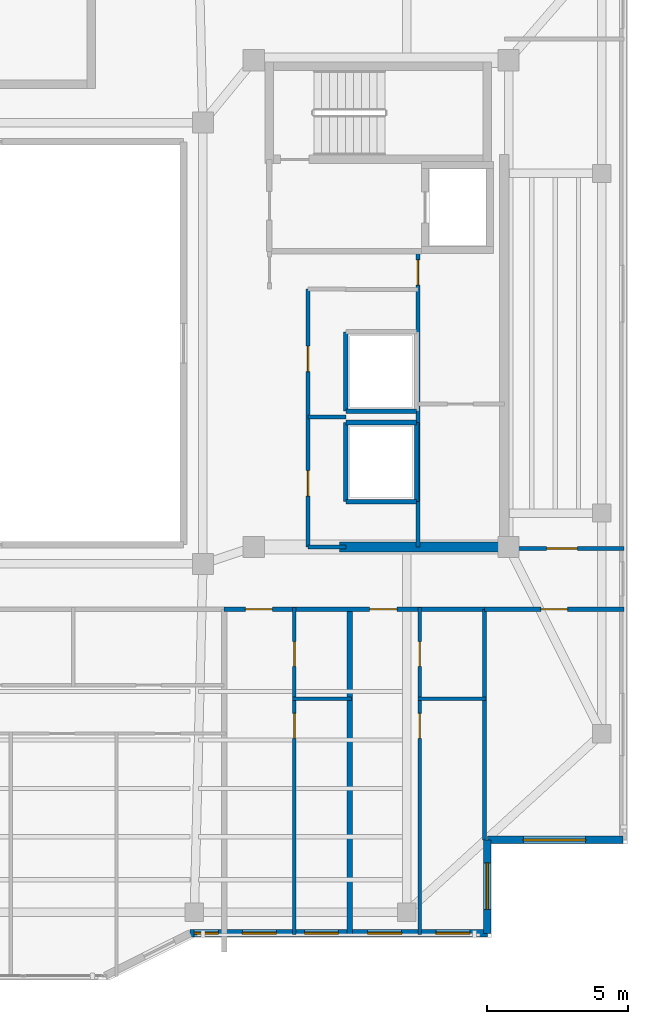
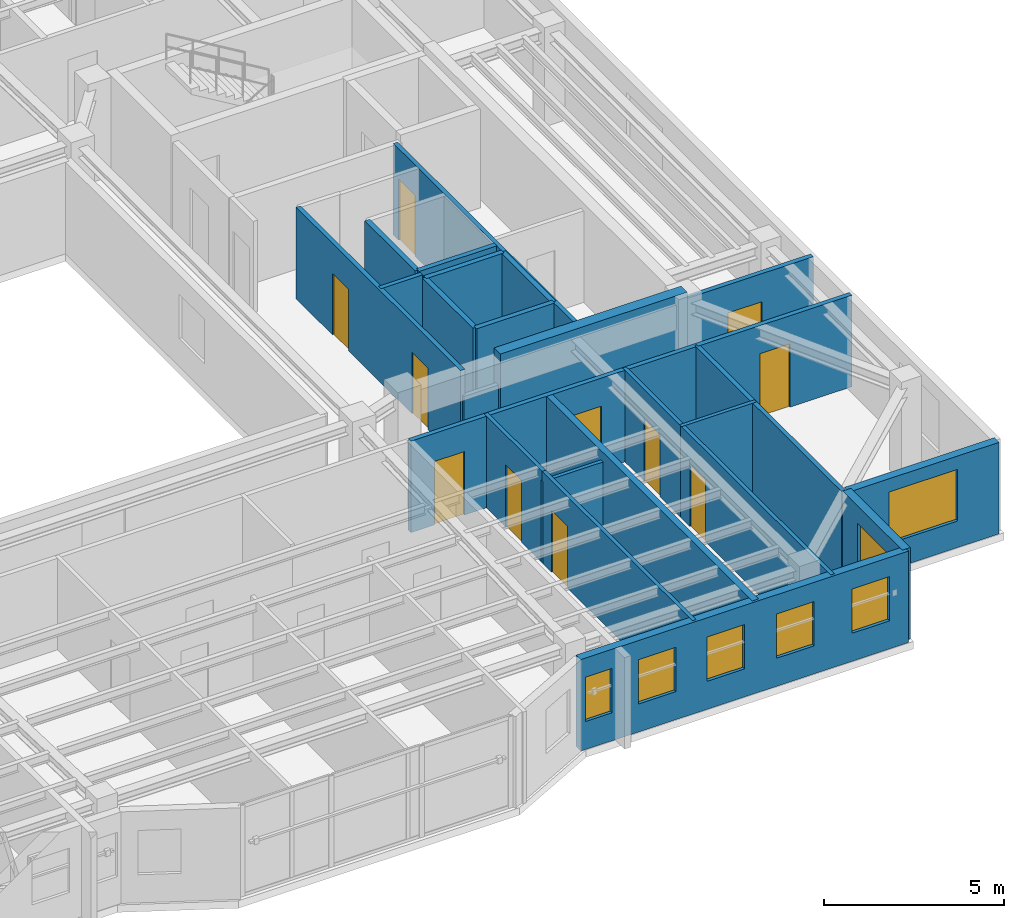
# One storey, part 8 of 14: 25 walls, 11 doors, 7 windows, 18 openings.
"""IFC4 building model written with IfcOpenShell, lengths in metres."""

import ifcopenshell
import ifcopenshell.guid

model = None  # the IFC model being written
_history = None  # IfcOwnerHistory: only IFC2X3 demands one
_inside = {}  # id of a spatial element -> (the spatial element, [elements in it])
_under = {}  # id of a project, library or spatial element -> (it, [spatial elements below it])
_declared = {}  # id of a project -> (the project, [libraries it declares])
_typed = {}  # id of a type object -> (the type object, [elements of that type])
_made_of = {}  # id of a material, layer set ... -> (it, [elements and type objects made of it])


def new_model(schema):
    """Start an empty IFC model of exactly this schema.

    Asked for "IFC4X3", IfcOpenShell would pick the latest addendum, in which some entities
    have other attributes; the version numbers below select the first issue.
    IFC2X3 requires an IfcOwnerHistory on every rooted entity: one is made here for all.
    """
    global model, _history
    if schema == "IFC4X3":
        model = ifcopenshell.file(schema_version=(4, 3, 0, 0))
    else:
        model = ifcopenshell.file(schema=schema)
    _inside.clear()
    _under.clear()
    _declared.clear()
    _typed.clear()
    _made_of.clear()
    _history = None
    if model.schema == "IFC2X3":
        org = make("IfcOrganization", Name="unknown")
        user = make(
            "IfcPersonAndOrganization",
            ThePerson=make("IfcPerson", FamilyName="unknown"),
            TheOrganization=org,
        )
        app = make(
            "IfcApplication",
            ApplicationDeveloper=org,
            Version="unknown",
            ApplicationFullName="unknown",
            ApplicationIdentifier="unknown",
        )
        _history = make(
            "IfcOwnerHistory",
            OwningUser=user,
            OwningApplication=app,
            ChangeAction="ADDED",
            CreationDate=0,
        )
    return model


def make(cls, **values):
    """One entity of the class cls with the attributes given. An attribute that is None is left unset."""
    return model.create_entity(
        cls, **{name: value for name, value in values.items() if value is not None}
    )


def rooted(cls, **values):
    """An entity with a GlobalId (a new one), such as an element, a storey or a relation."""
    return make(cls, GlobalId=ifcopenshell.guid.new(), OwnerHistory=_history, **values)


def si_unit(unit_type, name, prefix=None):
    """IfcSIUnit, for example si_unit("LENGTHUNIT", "METRE", prefix="MILLI")."""
    return make("IfcSIUnit", UnitType=unit_type, Prefix=prefix, Name=name)


def assignment(units):
    """IfcUnitAssignment: the units of a project."""
    return None if units is None else make("IfcUnitAssignment", Units=units)


def point(xyz):
    """IfcCartesianPoint."""
    return None if xyz is None else make("IfcCartesianPoint", Coordinates=xyz)


def direction(xyz):
    """IfcDirection."""
    return None if xyz is None else make("IfcDirection", DirectionRatios=xyz)


def frame(location, z_axis=None, x_axis=None):
    """IfcAxis2Placement3D, a coordinate frame: its origin and axes. An axis left out is left unset."""
    return make(
        "IfcAxis2Placement3D",
        Location=point(location),
        Axis=direction(z_axis),
        RefDirection=direction(x_axis),
    )


def frame_2d(location, x_axis=None):
    """IfcAxis2Placement2D, a coordinate frame in the plane: its origin and x axis."""
    return make(
        "IfcAxis2Placement2D", Location=point(location), RefDirection=direction(x_axis)
    )


def origin():
    """The frame at (0, 0, 0) with its axes left unset."""
    return frame((0.0, 0.0, 0.0))


def place(relative_to, where):
    """IfcLocalPlacement: puts the frame where relative to a parent placement (None: the world)."""
    return make(
        "IfcLocalPlacement", PlacementRelTo=relative_to, RelativePlacement=where
    )


def context(
    kind, dimensions, precision=None, world=None, true_north=None, identifier=None
):
    """IfcGeometricRepresentationContext, for example the 3D "Model" context."""
    return make(
        "IfcGeometricRepresentationContext",
        ContextIdentifier=identifier,
        ContextType=kind,
        CoordinateSpaceDimension=dimensions,
        Precision=precision,
        WorldCoordinateSystem=world,
        TrueNorth=true_north,
    )


def subcontext(parent, identifier, kind, view, scale=None):
    """IfcGeometricRepresentationSubContext, for example "Body" below "Model"."""
    return make(
        "IfcGeometricRepresentationSubContext",
        ContextIdentifier=identifier,
        ContextType=kind,
        ParentContext=parent,
        TargetScale=scale,
        TargetView=view,
    )


def project(units=None, contexts=None):
    """IfcProject with its units and contexts."""
    return rooted(
        "IfcProject",
        Name="project",
        RepresentationContexts=contexts,
        UnitsInContext=assignment(units),
    )


def spatial(cls, under=None, at=None, **own):
    """A site, building, storey or space (cls), placed at a placement, below another one or the project."""
    s = rooted(cls, ObjectPlacement=at, **own)
    if under is not None:
        _under.setdefault(under.id(), (under, []))[1].append(s)
    return s


def profile(cls, at=None, kind="AREA", **sizes):
    """A parametric profile (cls). Its sizes go by their IFC names, for example OverallWidth=200.0."""
    return make(cls, ProfileType=kind, Position=at, **sizes)


def rectangle(**sizes):
    """IfcRectangleProfileDef."""
    return profile("IfcRectangleProfileDef", **sizes)


def extrude(swept, where, along, depth):
    """IfcExtrudedAreaSolid: the profile swept, set in the frame where, extruded along a direction by depth."""
    return make(
        "IfcExtrudedAreaSolid",
        SweptArea=swept,
        Position=where,
        ExtrudedDirection=direction(along),
        Depth=depth,
    )


def shape(context_of_items, identifier, shape_type, items):
    """IfcShapeRepresentation: the items that make up one representation, for example the "Body"."""
    return make(
        "IfcShapeRepresentation",
        ContextOfItems=context_of_items,
        RepresentationIdentifier=identifier,
        RepresentationType=shape_type,
        Items=items,
    )


def material(Name=None, Category=None):
    """IfcMaterial."""
    return make("IfcMaterial", Name=Name, Category=Category)


def layer(
    of_material, thickness, ventilated=None, Name=None, Category=None, Priority=None
):
    """IfcMaterialLayer: one layer of a wall or slab, of a material (None: an air gap)."""
    return make(
        "IfcMaterialLayer",
        Material=of_material,
        LayerThickness=thickness,
        IsVentilated=ventilated,
        Name=Name,
        Category=Category,
        Priority=Priority,
    )


def layer_set(layers, Name=None):
    """IfcMaterialLayerSet."""
    return make("IfcMaterialLayerSet", MaterialLayers=layers, LayerSetName=Name)


def made_of(thing, what):
    """Note that an element or type object is made of a material, layer set ...; save() writes the relation."""
    if what is not None:
        _made_of.setdefault(what.id(), (what, []))[1].append(thing)
    return thing


def type_object(cls, material=None, **own):
    """A type object (cls), such as IfcWallType, which elements share."""
    return made_of(rooted(cls, **own), material)


def element(
    cls,
    number,
    at=None,
    inside=None,
    cuts=None,
    type_object=None,
    material=None,
    context=None,
    identifier="Body",
    shape_type=None,
    held_by="IfcProductDefinitionShape",
    body=None,
    shapes=None,
    **own,
):
    """One element of the class cls, such as IfcWall. Its Tag is "e" and its number.

    at: its placement. inside: the storey or other place that contains it. cuts: it is an
    opening in that element (IfcRelVoidsElement). A single representation is given by context,
    identifier, shape_type and body (its items); several are given by shapes. held_by: the class
    of the entity that holds the representations. save() writes the other relations.
    """
    e = rooted(cls, Tag="e%d" % number, ObjectPlacement=at, **own)
    if body is not None:
        shapes = [shape(context, identifier, shape_type, body)]
    if shapes is not None:
        e.Representation = make(held_by, Representations=shapes)
    if inside is not None:
        _inside.setdefault(inside.id(), (inside, []))[1].append(e)
    if cuts is not None:
        rooted(
            "IfcRelVoidsElement", RelatingBuildingElement=cuts, RelatedOpeningElement=e
        )
    if type_object is not None:
        _typed.setdefault(type_object.id(), (type_object, []))[1].append(e)
    return made_of(e, material)


def fill(opening, filler):
    """IfcRelFillsElement: the door or window that sits in an opening."""
    return rooted(
        "IfcRelFillsElement",
        RelatingOpeningElement=opening,
        RelatedBuildingElement=filler,
    )


def aggregate(whole, parts):
    """IfcRelAggregates: a whole, such as a stair, and the parts it consists of."""
    return rooted("IfcRelAggregates", RelatingObject=whole, RelatedObjects=parts)


def save(model, path):
    """Write the relations noted so far, then the file.

    IfcRelAggregates (storeys below a building ...), IfcRelContainedInSpatialStructure (elements
    in a storey), IfcRelDefinesByType, IfcRelAssociatesMaterial and IfcRelDeclares: one each for
    every whole, place, type object, material and project.
    """
    for whole, parts in _under.values():
        aggregate(whole, parts)
    for where, things in _inside.values():
        rooted(
            "IfcRelContainedInSpatialStructure",
            RelatedElements=things,
            RelatingStructure=where,
        )
    for kind, things in _typed.values():
        rooted("IfcRelDefinesByType", RelatedObjects=things, RelatingType=kind)
    for what, things in _made_of.values():
        rooted("IfcRelAssociatesMaterial", RelatedObjects=things, RelatingMaterial=what)
    for by, libraries in _declared.values():
        rooted("IfcRelDeclares", RelatingContext=by, RelatedDefinitions=libraries)
    model.write(path)


model = new_model("IFC4")

# Units and contexts
model_context = context("Model", 3, precision=1e-05, world=origin(), true_north=direction((0.0, 1.0)))
body_context = subcontext(model_context, "Body", "Model", "MODEL_VIEW")
ifc_project = project(units=[si_unit("LENGTHUNIT", "METRE"), si_unit("AREAUNIT", "SQUARE_METRE"), si_unit("VOLUMEUNIT", "CUBIC_METRE"), si_unit("PLANEANGLEUNIT", "RADIAN"), si_unit("MASSUNIT", "GRAM", prefix="KILO")], contexts=[model_context])

# Site, building, storey
site_placement = place(None, origin())
site = spatial("IfcSite", under=ifc_project, at=site_placement, CompositionType="ELEMENT")
building_placement = place(site_placement, origin())
building = spatial("IfcBuilding", under=site, at=building_placement, Name="Tarnavaz Court Tower", CompositionType="ELEMENT")
storey_placement = place(building_placement, frame((0.0, 0.0, 261.60009765625)))
storey = spatial("IfcBuildingStorey", under=building, at=storey_placement, Name="L71", CompositionType="ELEMENT", Elevation=261.60009765625)

# Wall
ifc_material_1 = material(Name="Concrete C50/60", Category="concrete")
ifc_layer_1 = layer(ifc_material_1, 0.35009765625)
ifc_layer_set_1 = layer_set([ifc_layer_1], Name="Concrete C50/60")
wall_type_1 = type_object("IfcWallType", Name="WL-CORE-350-C50", PredefinedType="SHEAR", material=ifc_layer_set_1)
wall_1_placement = place(storey_placement, frame((12.625, -7.199951171875, 0.0), z_axis=(0.0, 0.0, 1.0), x_axis=(1.0, 0.0, 0.0)))
element("IfcWall", 1, at=wall_1_placement, inside=storey, type_object=wall_type_1, Name="L71 East Core South Shear Wall 048", PredefinedType="SHEAR", context=body_context, shape_type="SweptSolid", body=[
    extrude(rectangle(XDim=6.0, YDim=0.35009765625, at=frame_2d((3.0, 0.0))), origin(), (0.0, 0.0, 1.0), 3.349853515625),
])

# Wall, opening, window
ifc_material_2 = material(Name="Precast Concrete C40/50", Category="concrete")
ifc_layer_2 = layer(ifc_material_2, 0.260009765625)
ifc_layer_set_2 = layer_set([ifc_layer_2], Name="Precast Concrete C40/50")
wall_type_2 = type_object("IfcWallType", Name="WL-EXT-260", PredefinedType="SOLIDWALL", material=ifc_layer_set_2)
wall_2_placement = place(storey_placement, frame((22.64990234375, -17.550048828125, 0.0), z_axis=(0.0, 0.0, 1.0), x_axis=(-1.0, 0.0, 0.0)))
wall_2 = element("IfcWall", 2, at=wall_2_placement, inside=storey, type_object=wall_type_2, Name="L71 Exterior Terracotta Facade Wall 13", PredefinedType="SOLIDWALL", context=body_context, shape_type="SweptSolid", body=[
    extrude(rectangle(XDim=4.7998046875, YDim=0.260009765625, at=frame_2d((2.39990234375, 0.0))), origin(), (0.0, 0.0, 1.0), 3.099853515625),
])
opening_1_placement = place(wall_2_placement, frame((1.3251953125, 0.0, 0.89990234375)))
opening_1 = element("IfcOpeningElement", 3, at=opening_1_placement, cuts=wall_2, Name="Opening W07", PredefinedType="OPENING", context=body_context, shape_type="SweptSolid", body=[
    extrude(rectangle(XDim=2.199951171875, YDim=1.75, at=frame_2d((1.10009765625, 0.875))), frame((0.0, 0.139892578125, 0.0), z_axis=(0.0, -1.0, 0.0), x_axis=(1.0, 0.0, 0.0)), (0.0, 0.0, 1.0), 0.280029296875),
])
ifc_material_3 = material(Name="Double-Glazed Solar Low-E Glass", Category="glass")
window_type_1 = type_object("IfcWindowType", Name="WN-APT-2200", PartitioningType="TRIPLE_PANEL_VERTICAL", PredefinedType="WINDOW", material=ifc_material_3)
window_1_placement = place(opening_1_placement, origin())
window_1 = element("IfcWindow", 4, at=window_1_placement, inside=storey, type_object=window_type_1, Name="L71 South-East Corner Reading Room Window", OverallHeight=1.75, OverallWidth=2.199951171875, PartitioningType="SINGLE_PANEL", PredefinedType="WINDOW", context=body_context, shape_type="SweptSolid", body=[
    extrude(rectangle(XDim=2.199951171875, YDim=1.75, at=frame_2d((1.10009765625, 0.875))), frame((0.0, 0.030029296875, 0.0), z_axis=(0.0, -1.0, 0.0), x_axis=(1.0, 0.0, 0.0)), (0.0, 0.0, 1.0), 0.06005859375),
])
fill(opening_1, window_1)

wall_3_placement = place(storey_placement, frame((17.85009765625, -17.550048828125, 0.0), z_axis=(0.0, 0.0, 1.0), x_axis=(0.0, -1.0, 0.0)))
wall_3 = element("IfcWall", 5, at=wall_3_placement, inside=storey, type_object=wall_type_2, Name="L71 Exterior Terracotta Facade Wall 14", PredefinedType="SOLIDWALL", context=body_context, shape_type="SweptSolid", body=[
    extrude(rectangle(XDim=3.300048828125, YDim=0.260009765625, at=frame_2d((1.64990234375, 0.0))), origin(), (0.0, 0.0, 1.0), 3.099853515625),
])
opening_2_placement = place(wall_3_placement, frame((0.8076171875, 0.0, 0.89990234375)))
opening_2 = element("IfcOpeningElement", 6, at=opening_2_placement, cuts=wall_3, Name="Opening W02", PredefinedType="OPENING", context=body_context, shape_type="SweptSolid", body=[
    extrude(rectangle(XDim=1.64990234375, YDim=1.60009765625, at=frame_2d((0.824951171875, 0.800048828125))), frame((0.0, 0.139892578125, 0.0), z_axis=(0.0, -1.0, 0.0), x_axis=(1.0, 0.0, 0.0)), (0.0, 0.0, 1.0), 0.280029296875),
])
window_type_2 = type_object("IfcWindowType", Name="WN-APT-1650", PartitioningType="DOUBLE_PANEL_VERTICAL", PredefinedType="WINDOW", material=ifc_material_3)
window_2_placement = place(opening_2_placement, origin())
window_2 = element("IfcWindow", 7, at=window_2_placement, inside=storey, type_object=window_type_2, Name="L71 Flat 09 Kitchen Window", OverallHeight=1.60009765625, OverallWidth=1.64990234375, PartitioningType="SINGLE_PANEL", PredefinedType="WINDOW", context=body_context, shape_type="SweptSolid", body=[
    extrude(rectangle(XDim=1.64990234375, YDim=1.60009765625, at=frame_2d((0.824951171875, 0.800048828125))), frame((0.0, 0.030029296875, 0.0), z_axis=(0.0, -1.0, 0.0), x_axis=(1.0, 0.0, 0.0)), (0.0, 0.0, 1.0), 0.06005859375),
])
fill(opening_2, window_2)

# Wall, openings, windows
wall_4_placement = place(storey_placement, frame((17.85009765625, -20.85009765625, 0.0), z_axis=(0.0, 0.0, 1.0), x_axis=(-1.0, 0.0, 0.0)))
wall_4 = element("IfcWall", 8, at=wall_4_placement, inside=storey, type_object=wall_type_2, Name="L71 Exterior Terracotta Facade Wall 15", PredefinedType="SOLIDWALL", context=body_context, shape_type="SweptSolid", body=[
    extrude(rectangle(XDim=10.5, YDim=0.260009765625, at=frame_2d((5.25, 0.0))), origin(), (0.0, 0.0, 1.0), 3.099853515625),
])
opening_3_placement = place(wall_4_placement, frame((0.613037109375, 0.0, 0.949951171875)))
opening_3 = element("IfcOpeningElement", 9, at=opening_3_placement, cuts=wall_4, Name="Opening W05", PredefinedType="OPENING", context=body_context, shape_type="SweptSolid", body=[
    extrude(rectangle(XDim=1.199951171875, YDim=1.5, at=frame_2d((0.60009765625, 0.75))), frame((0.0, 0.139892578125, 0.0), z_axis=(0.0, -1.0, 0.0), x_axis=(1.0, 0.0, 0.0)), (0.0, 0.0, 1.0), 0.280029296875),
])
opening_4_placement = place(wall_4_placement, frame((3.02490234375, 0.0, 0.949951171875)))
opening_4 = element("IfcOpeningElement", 10, at=opening_4_placement, cuts=wall_4, Name="Opening W05", PredefinedType="OPENING", context=body_context, shape_type="SweptSolid", body=[
    extrude(rectangle(XDim=1.199951171875, YDim=1.5, at=frame_2d((0.60009765625, 0.75))), frame((0.0, 0.139892578125, 0.0), z_axis=(0.0, -1.0, 0.0), x_axis=(1.0, 0.0, 0.0)), (0.0, 0.0, 1.0), 0.280029296875),
])
opening_5_placement = place(wall_4_placement, frame((5.258056640625, 0.0, 0.949951171875)))
opening_5 = element("IfcOpeningElement", 11, at=opening_5_placement, cuts=wall_4, Name="Opening W05", PredefinedType="OPENING", context=body_context, shape_type="SweptSolid", body=[
    extrude(rectangle(XDim=1.199951171875, YDim=1.5, at=frame_2d((0.60009765625, 0.75))), frame((0.0, 0.139892578125, 0.0), z_axis=(0.0, -1.0, 0.0), x_axis=(1.0, 0.0, 0.0)), (0.0, 0.0, 1.0), 0.280029296875),
])
opening_6_placement = place(wall_4_placement, frame((7.449951171875, 0.0, 0.949951171875)))
opening_6 = element("IfcOpeningElement", 12, at=opening_6_placement, cuts=wall_4, Name="Opening W05", PredefinedType="OPENING", context=body_context, shape_type="SweptSolid", body=[
    extrude(rectangle(XDim=1.199951171875, YDim=1.5, at=frame_2d((0.60009765625, 0.75))), frame((0.0, 0.139892578125, 0.0), z_axis=(0.0, -1.0, 0.0), x_axis=(1.0, 0.0, 0.0)), (0.0, 0.0, 1.0), 0.280029296875),
])
opening_7_placement = place(wall_4_placement, frame((9.5048828125, 0.0, 0.949951171875)))
opening_7 = element("IfcOpeningElement", 13, at=opening_7_placement, cuts=wall_4, Name="Opening W15", PredefinedType="OPENING", context=body_context, shape_type="SweptSolid", body=[
    extrude(rectangle(XDim=0.85009765625, YDim=1.5, at=frame_2d((0.425048828125, 0.75))), frame((0.0, 0.139892578125, 0.0), z_axis=(0.0, -1.0, 0.0), x_axis=(1.0, 0.0, 0.0)), (0.0, 0.0, 1.0), 0.280029296875),
])
window_type_3 = type_object("IfcWindowType", Name="WN-APT-1200", PartitioningType="SINGLE_PANEL", PredefinedType="WINDOW", material=ifc_material_3)
window_3_placement = place(opening_3_placement, origin())
window_3 = element("IfcWindow", 14, at=window_3_placement, inside=storey, type_object=window_type_3, Name="L71 Flat 09 Kitchen Window", OverallHeight=1.5, OverallWidth=1.199951171875, PartitioningType="SINGLE_PANEL", PredefinedType="WINDOW", context=body_context, shape_type="SweptSolid", body=[
    extrude(rectangle(XDim=1.199951171875, YDim=1.5, at=frame_2d((0.60009765625, 0.75))), frame((0.0, 0.030029296875, 0.0), z_axis=(0.0, -1.0, 0.0), x_axis=(1.0, 0.0, 0.0)), (0.0, 0.0, 1.0), 0.06005859375),
])
fill(opening_3, window_3)
window_4_placement = place(opening_4_placement, origin())
window_4 = element("IfcWindow", 15, at=window_4_placement, inside=storey, type_object=window_type_3, Name="L71 Flat 09 Studio Living and Sleeping Room Window", OverallHeight=1.5, OverallWidth=1.199951171875, PartitioningType="SINGLE_PANEL", PredefinedType="WINDOW", context=body_context, shape_type="SweptSolid", body=[
    extrude(rectangle(XDim=1.199951171875, YDim=1.5, at=frame_2d((0.60009765625, 0.75))), frame((0.0, 0.030029296875, 0.0), z_axis=(0.0, -1.0, 0.0), x_axis=(1.0, 0.0, 0.0)), (0.0, 0.0, 1.0), 0.06005859375),
])
fill(opening_4, window_4)
window_5_placement = place(opening_5_placement, origin())
window_5 = element("IfcWindow", 16, at=window_5_placement, inside=storey, type_object=window_type_3, Name="L71 Flat 08 Kitchen Window", OverallHeight=1.5, OverallWidth=1.199951171875, PartitioningType="SINGLE_PANEL", PredefinedType="WINDOW", context=body_context, shape_type="SweptSolid", body=[
    extrude(rectangle(XDim=1.199951171875, YDim=1.5, at=frame_2d((0.60009765625, 0.75))), frame((0.0, 0.030029296875, 0.0), z_axis=(0.0, -1.0, 0.0), x_axis=(1.0, 0.0, 0.0)), (0.0, 0.0, 1.0), 0.06005859375),
])
fill(opening_5, window_5)
window_6_placement = place(opening_6_placement, origin())
window_6 = element("IfcWindow", 17, at=window_6_placement, inside=storey, type_object=window_type_3, Name="L71 Flat 08 Studio Living and Sleeping Room Window", OverallHeight=1.5, OverallWidth=1.199951171875, PartitioningType="SINGLE_PANEL", PredefinedType="WINDOW", context=body_context, shape_type="SweptSolid", body=[
    extrude(rectangle(XDim=1.199951171875, YDim=1.5, at=frame_2d((0.60009765625, 0.75))), frame((0.0, 0.030029296875, 0.0), z_axis=(0.0, -1.0, 0.0), x_axis=(1.0, 0.0, 0.0)), (0.0, 0.0, 1.0), 0.06005859375),
])
fill(opening_6, window_6)
window_type_4 = type_object("IfcWindowType", Name="WN-APT-850", PartitioningType="SINGLE_PANEL", PredefinedType="WINDOW", material=ifc_material_3)
window_7_placement = place(opening_7_placement, origin())
window_7 = element("IfcWindow", 18, at=window_7_placement, inside=storey, type_object=window_type_4, Name="L71 Flat 10 Bedroom 3 Window", OverallHeight=1.5, OverallWidth=0.85009765625, PartitioningType="SINGLE_PANEL", PredefinedType="WINDOW", context=body_context, shape_type="SweptSolid", body=[
    extrude(rectangle(XDim=0.85009765625, YDim=1.5, at=frame_2d((0.425048828125, 0.75))), frame((0.0, 0.030029296875, 0.0), z_axis=(0.0, -1.0, 0.0), x_axis=(1.0, 0.0, 0.0)), (0.0, 0.0, 1.0), 0.06005859375),
])
fill(opening_7, window_7)

# Wall, openings, doors
ifc_material_4 = material(Name="Gypsum Fire-Board on Acoustic Metal Stud", Category="masonry")
ifc_layer_3 = layer(ifc_material_4, 0.14990234375)
ifc_layer_set_3 = layer_set([ifc_layer_3], Name="Gypsum Fire-Board on Acoustic Metal Stud")
wall_type_3 = type_object("IfcWallType", Name="WL-FIRE-150", PredefinedType="PARTITIONING", material=ifc_layer_set_3)
wall_5_placement = place(storey_placement, frame((8.550048828125, -9.39990234375, 0.0), z_axis=(0.0, 0.0, 1.0), x_axis=(1.0, 0.0, 0.0)))
wall_5 = element("IfcWall", 19, at=wall_5_placement, inside=storey, type_object=wall_type_3, Name="L71 SE Lobby Wall 063", PredefinedType="PARTITIONING", context=body_context, shape_type="SweptSolid", body=[
    extrude(rectangle(XDim=9.199951171875, YDim=0.14990234375, at=frame_2d((4.60009765625, 0.0))), origin(), (0.0, 0.0, 1.0), 3.099853515625),
])
opening_8_placement = place(wall_5_placement, frame((0.75, 0.0, 0.0)))
opening_8 = element("IfcOpeningElement", 20, at=opening_8_placement, cuts=wall_5, Name="Opening D06", PredefinedType="OPENING", context=body_context, shape_type="SweptSolid", body=[
    extrude(rectangle(XDim=0.9599609375, YDim=2.14990234375, at=frame_2d((0.47998046875, 1.074951171875))), frame((0.0, 0.0849609375, 0.0), z_axis=(0.0, -1.0, 0.0), x_axis=(1.0, 0.0, 0.0)), (0.0, 0.0, 1.0), 0.169921875),
])
opening_9_placement = place(wall_5_placement, frame((5.14208984375, 0.0, 0.0)))
opening_9 = element("IfcOpeningElement", 21, at=opening_9_placement, cuts=wall_5, Name="Opening D06", PredefinedType="OPENING", context=body_context, shape_type="SweptSolid", body=[
    extrude(rectangle(XDim=0.9599609375, YDim=2.14990234375, at=frame_2d((0.47998046875, 1.074951171875))), frame((0.0, 0.0849609375, 0.0), z_axis=(0.0, -1.0, 0.0), x_axis=(1.0, 0.0, 0.0)), (0.0, 0.0, 1.0), 0.169921875),
])
ifc_material_5 = material(Name="Fire-Rated Hardwood Timber Core", Category="wood")
door_type_1 = type_object("IfcDoorType", Name="DR-FD60-950", OperationType="NOTDEFINED", PredefinedType="DOOR", material=ifc_material_5)
door_1_placement = place(opening_8_placement, origin())
door_1 = element("IfcDoor", 22, at=door_1_placement, inside=storey, type_object=door_type_1, Name="L71 Flat 08 Entrance Door", OperationType="SINGLE_SWING_LEFT", OverallHeight=2.14990234375, OverallWidth=0.9599609375, PredefinedType="DOOR", context=body_context, shape_type="SweptSolid", body=[
    extrude(rectangle(XDim=0.9599609375, YDim=2.14990234375, at=frame_2d((0.47998046875, 1.074951171875))), frame((0.0, 0.02490234375, 0.0), z_axis=(0.0, -1.0, 0.0), x_axis=(1.0, 0.0, 0.0)), (0.0, 0.0, 1.0), 0.050048828125),
])
fill(opening_8, door_1)
door_2_placement = place(opening_9_placement, origin())
door_2 = element("IfcDoor", 23, at=door_2_placement, inside=storey, type_object=door_type_1, Name="L71 Flat 09 Entrance Door", OperationType="SINGLE_SWING_RIGHT", OverallHeight=2.14990234375, OverallWidth=0.9599609375, PredefinedType="DOOR", context=body_context, shape_type="SweptSolid", body=[
    extrude(rectangle(XDim=0.9599609375, YDim=2.14990234375, at=frame_2d((0.47998046875, 1.074951171875))), frame((0.0, 0.02490234375, 0.0), z_axis=(0.0, -1.0, 0.0), x_axis=(1.0, 0.0, 0.0)), (0.0, 0.0, 1.0), 0.050048828125),
])
fill(opening_9, door_2)

# Wall, opening, door
wall_6_placement = place(storey_placement, frame((18.449951171875, -7.25, 0.0), z_axis=(0.0, 0.0, 1.0), x_axis=(1.0, 0.0, 0.0)))
wall_6 = element("IfcWall", 24, at=wall_6_placement, inside=storey, type_object=wall_type_3, Name="L71 Interior Partition 115", PredefinedType="PARTITIONING", context=body_context, shape_type="SweptSolid", body=[
    extrude(rectangle(XDim=4.22998046875, YDim=0.14990234375, at=frame_2d((2.114990234375, 0.0))), origin(), (0.0, 0.0, 1.0), 3.099853515625),
])
opening_10_placement = place(wall_6_placement, frame((1.5, 0.0, 0.0)))
opening_10 = element("IfcOpeningElement", 25, at=opening_10_placement, cuts=wall_6, Name="Opening D12", PredefinedType="OPENING", context=body_context, shape_type="SweptSolid", body=[
    extrude(rectangle(XDim=1.080078125, YDim=2.14990234375, at=frame_2d((0.5400390625, 1.074951171875))), frame((0.0, 0.0849609375, 0.0), z_axis=(0.0, -1.0, 0.0), x_axis=(1.0, 0.0, 0.0)), (0.0, 0.0, 1.0), 0.169921875),
])
ifc_material_6 = material(Name="Engineered Oak Timber", Category="wood")
door_type_2 = type_object("IfcDoorType", Name="DR-INT-1100", OperationType="NOTDEFINED", PredefinedType="DOOR", material=ifc_material_6)
door_3_placement = place(opening_10_placement, origin())
door_3 = element("IfcDoor", 26, at=door_3_placement, inside=storey, type_object=door_type_2, Name="L71 East Fitness Lounge Door", OperationType="SINGLE_SWING_LEFT", OverallHeight=2.14990234375, OverallWidth=1.080078125, PredefinedType="DOOR", context=body_context, shape_type="SweptSolid", body=[
    extrude(rectangle(XDim=1.080078125, YDim=2.14990234375, at=frame_2d((0.5400390625, 1.074951171875))), frame((0.0, 0.02490234375, 0.0), z_axis=(0.0, -1.0, 0.0), x_axis=(1.0, 0.0, 0.0)), (0.0, 0.0, 1.0), 0.050048828125),
])
fill(opening_10, door_3)

wall_7_placement = place(storey_placement, frame((17.75, -9.39990234375, 0.0), z_axis=(0.0, 0.0, 1.0), x_axis=(1.0, 0.0, 0.0)))
wall_7 = element("IfcWall", 27, at=wall_7_placement, inside=storey, type_object=wall_type_3, Name="L71 Interior Partition 124", PredefinedType="PARTITIONING", context=body_context, shape_type="SweptSolid", body=[
    extrude(rectangle(XDim=4.929931640625, YDim=0.14990234375, at=frame_2d((2.46484375, 0.0))), origin(), (0.0, 0.0, 1.0), 3.099853515625),
])
opening_11_placement = place(wall_7_placement, frame((1.989990234375, 0.0, 0.0)))
opening_11 = element("IfcOpeningElement", 28, at=opening_11_placement, cuts=wall_7, Name="Opening D13", PredefinedType="OPENING", context=body_context, shape_type="SweptSolid", body=[
    extrude(rectangle(XDim=0.949951171875, YDim=2.14990234375, at=frame_2d((0.47509765625, 1.074951171875))), frame((0.0, 0.0849609375, 0.0), z_axis=(0.0, -1.0, 0.0), x_axis=(1.0, 0.0, 0.0)), (0.0, 0.0, 1.0), 0.169921875),
])
door_type_3 = type_object("IfcDoorType", Name="DR-INT-950", OperationType="NOTDEFINED", PredefinedType="DOOR", material=ifc_material_6)
door_4_placement = place(opening_11_placement, origin())
door_4 = element("IfcDoor", 29, at=door_4_placement, inside=storey, type_object=door_type_3, Name="L71 SE Reading Room Door", OperationType="SINGLE_SWING_LEFT", OverallHeight=2.14990234375, OverallWidth=0.949951171875, PredefinedType="DOOR", context=body_context, shape_type="SweptSolid", body=[
    extrude(rectangle(XDim=0.949951171875, YDim=2.14990234375, at=frame_2d((0.47509765625, 1.074951171875))), frame((0.0, 0.02490234375, 0.0), z_axis=(0.0, -1.0, 0.0), x_axis=(1.0, 0.0, 0.0)), (0.0, 0.0, 1.0), 0.050048828125),
])
fill(opening_11, door_4)

# Wall
ifc_material_7 = material(Name="Autoclaved Aerated Concrete Blockwork", Category="masonry")
ifc_layer_4 = layer(ifc_material_7, 0.199951171875)
ifc_layer_set_4 = layer_set([ifc_layer_4], Name="Autoclaved Aerated Concrete Blockwork")
wall_type_4 = type_object("IfcWallType", Name="WL-FIRE-200", PredefinedType="SOLIDWALL", material=ifc_layer_set_4)
wall_8_placement = place(storey_placement, frame((12.991943359375, -20.89990234375, 0.0), z_axis=(0.0, 0.0, 1.0), x_axis=(0.0, 1.0, 0.0)))
element("IfcWall", 30, at=wall_8_placement, inside=storey, type_object=wall_type_4, Name="L71 Party Wall 096", PredefinedType="SOLIDWALL", context=body_context, shape_type="SweptSolid", body=[
    extrude(rectangle(XDim=11.5, YDim=0.199951171875, at=frame_2d((5.75, 0.0))), origin(), (0.0, 0.0, 1.0), 3.099853515625),
])

# Wall, opening, door
ifc_material_8 = material(Name="Moisture-Resistant Gypsum Board Partition", Category="masonry")
ifc_layer_5 = layer(ifc_material_8, 0.1201171875)
ifc_layer_set_5 = layer_set([ifc_layer_5], Name="Moisture-Resistant Gypsum Board Partition")
wall_type_5 = type_object("IfcWallType", Name="WL-PART-120", PredefinedType="PARTITIONING", material=ifc_layer_set_5)
wall_9_placement = place(storey_placement, frame((11.031982421875, -20.89990234375, 0.0), z_axis=(0.0, 0.0, 1.0), x_axis=(0.0, 1.0, 0.0)))
wall_9 = element("IfcWall", 31, at=wall_9_placement, inside=storey, type_object=wall_type_5, Name="L71 Interior Partition 097", PredefinedType="PARTITIONING", context=body_context, shape_type="SweptSolid", body=[
    extrude(rectangle(XDim=8.33984375, YDim=0.1201171875, at=frame_2d((4.169921875, 0.0))), origin(), (0.0, 0.0, 1.0), 3.099853515625),
])
opening_12_placement = place(wall_9_placement, frame((6.93994140625, 0.0, 0.0)))
opening_12 = element("IfcOpeningElement", 32, at=opening_12_placement, cuts=wall_9, Name="Opening D14", PredefinedType="OPENING", context=body_context, shape_type="SweptSolid", body=[
    extrude(rectangle(XDim=0.8798828125, YDim=2.10009765625, at=frame_2d((0.43994140625, 1.050048828125))), frame((0.0, 0.070068359375, 0.0), z_axis=(0.0, -1.0, 0.0), x_axis=(1.0, 0.0, 0.0)), (0.0, 0.0, 1.0), 0.14013671875),
])
door_type_4 = type_object("IfcDoorType", Name="DR-INT-900", OperationType="NOTDEFINED", PredefinedType="DOOR", material=ifc_material_6)
door_5_placement = place(opening_12_placement, origin())
door_5 = element("IfcDoor", 33, at=door_5_placement, inside=storey, type_object=door_type_4, Name="L71 Flat 08 Kitchen Door", OperationType="SINGLE_SWING_RIGHT", OverallHeight=2.10009765625, OverallWidth=0.8798828125, PredefinedType="DOOR", context=body_context, shape_type="SweptSolid", body=[
    extrude(rectangle(XDim=0.8798828125, YDim=2.10009765625, at=frame_2d((0.43994140625, 1.050048828125))), frame((0.0, 0.02490234375, 0.0), z_axis=(0.0, -1.0, 0.0), x_axis=(1.0, 0.0, 0.0)), (0.0, 0.0, 1.0), 0.050048828125),
])
fill(opening_12, door_5)

wall_10_placement = place(storey_placement, frame((11.031982421875, -12.56005859375, 0.0), z_axis=(0.0, 0.0, 1.0), x_axis=(0.0, 1.0, 0.0)))
wall_10 = element("IfcWall", 34, at=wall_10_placement, inside=storey, type_object=wall_type_5, Name="L71 Interior Partition 098", PredefinedType="PARTITIONING", context=body_context, shape_type="SweptSolid", body=[
    extrude(rectangle(XDim=3.219970703125, YDim=0.1201171875, at=frame_2d((1.60986328125, 0.0))), origin(), (0.0, 0.0, 1.0), 3.099853515625),
])
opening_13_placement = place(wall_10_placement, frame((1.139892578125, 0.0, 0.0)))
opening_13 = element("IfcOpeningElement", 35, at=opening_13_placement, cuts=wall_10, Name="Opening D14", PredefinedType="OPENING", context=body_context, shape_type="SweptSolid", body=[
    extrude(rectangle(XDim=0.8798828125, YDim=2.10009765625, at=frame_2d((0.43994140625, 1.050048828125))), frame((0.0, 0.070068359375, 0.0), z_axis=(0.0, -1.0, 0.0), x_axis=(1.0, 0.0, 0.0)), (0.0, 0.0, 1.0), 0.14013671875),
])
door_6_placement = place(opening_13_placement, origin())
door_6 = element("IfcDoor", 36, at=door_6_placement, inside=storey, type_object=door_type_4, Name="L71 Flat 08 Bathroom Door", OperationType="SINGLE_SWING_LEFT", OverallHeight=2.10009765625, OverallWidth=0.8798828125, PredefinedType="DOOR", context=body_context, shape_type="SweptSolid", body=[
    extrude(rectangle(XDim=0.8798828125, YDim=2.10009765625, at=frame_2d((0.43994140625, 1.050048828125))), frame((0.0, 0.02490234375, 0.0), z_axis=(0.0, -1.0, 0.0), x_axis=(1.0, 0.0, 0.0)), (0.0, 0.0, 1.0), 0.050048828125),
])
fill(opening_13, door_6)

# Wall
wall_11_placement = place(storey_placement, frame((10.971923828125, -12.56005859375, 0.0), z_axis=(0.0, 0.0, 1.0), x_axis=(1.0, 0.0, 0.0)))
element("IfcWall", 37, at=wall_11_placement, inside=storey, type_object=wall_type_5, Name="L71 Interior Partition 099", PredefinedType="PARTITIONING", context=body_context, shape_type="SweptSolid", body=[
    extrude(rectangle(XDim=2.080078125, YDim=0.1201171875, at=frame_2d((1.0400390625, 0.0))), origin(), (0.0, 0.0, 1.0), 2.784912109375),
])

# Wall, opening, door
wall_12_placement = place(storey_placement, frame((15.464111328125, -20.89990234375, 0.0), z_axis=(0.0, 0.0, 1.0), x_axis=(0.0, 1.0, 0.0)))
wall_12 = element("IfcWall", 38, at=wall_12_placement, inside=storey, type_object=wall_type_5, Name="L71 Interior Partition 100", PredefinedType="PARTITIONING", context=body_context, shape_type="SweptSolid", body=[
    extrude(rectangle(XDim=8.33984375, YDim=0.1201171875, at=frame_2d((4.169921875, 0.0))), origin(), (0.0, 0.0, 1.0), 3.099853515625),
])
opening_14_placement = place(wall_12_placement, frame((6.93994140625, 0.0, 0.0)))
opening_14 = element("IfcOpeningElement", 39, at=opening_14_placement, cuts=wall_12, Name="Opening D14", PredefinedType="OPENING", context=body_context, shape_type="SweptSolid", body=[
    extrude(rectangle(XDim=0.8798828125, YDim=2.10009765625, at=frame_2d((0.43994140625, 1.050048828125))), frame((0.0, 0.070068359375, 0.0), z_axis=(0.0, -1.0, 0.0), x_axis=(1.0, 0.0, 0.0)), (0.0, 0.0, 1.0), 0.14013671875),
])
door_7_placement = place(opening_14_placement, origin())
door_7 = element("IfcDoor", 40, at=door_7_placement, inside=storey, type_object=door_type_4, Name="L71 Flat 09 Kitchen Door", OperationType="SINGLE_SWING_LEFT", OverallHeight=2.10009765625, OverallWidth=0.8798828125, PredefinedType="DOOR", context=body_context, shape_type="SweptSolid", body=[
    extrude(rectangle(XDim=0.8798828125, YDim=2.10009765625, at=frame_2d((0.43994140625, 1.050048828125))), frame((0.0, 0.02490234375, 0.0), z_axis=(0.0, -1.0, 0.0), x_axis=(1.0, 0.0, 0.0)), (0.0, 0.0, 1.0), 0.050048828125),
])
fill(opening_14, door_7)

wall_13_placement = place(storey_placement, frame((15.464111328125, -12.56005859375, 0.0), z_axis=(0.0, 0.0, 1.0), x_axis=(0.0, 1.0, 0.0)))
wall_13 = element("IfcWall", 41, at=wall_13_placement, inside=storey, type_object=wall_type_5, Name="L71 Interior Partition 101", PredefinedType="PARTITIONING", context=body_context, shape_type="SweptSolid", body=[
    extrude(rectangle(XDim=3.219970703125, YDim=0.1201171875, at=frame_2d((1.60986328125, 0.0))), origin(), (0.0, 0.0, 1.0), 3.099853515625),
])
opening_15_placement = place(wall_13_placement, frame((1.139892578125, 0.0, 0.0)))
opening_15 = element("IfcOpeningElement", 42, at=opening_15_placement, cuts=wall_13, Name="Opening D14", PredefinedType="OPENING", context=body_context, shape_type="SweptSolid", body=[
    extrude(rectangle(XDim=0.8798828125, YDim=2.10009765625, at=frame_2d((0.43994140625, 1.050048828125))), frame((0.0, 0.070068359375, 0.0), z_axis=(0.0, -1.0, 0.0), x_axis=(1.0, 0.0, 0.0)), (0.0, 0.0, 1.0), 0.14013671875),
])
door_8_placement = place(opening_15_placement, origin())
door_8 = element("IfcDoor", 43, at=door_8_placement, inside=storey, type_object=door_type_4, Name="L71 Flat 09 Bathroom Door", OperationType="SINGLE_SWING_RIGHT", OverallHeight=2.10009765625, OverallWidth=0.8798828125, PredefinedType="DOOR", context=body_context, shape_type="SweptSolid", body=[
    extrude(rectangle(XDim=0.8798828125, YDim=2.10009765625, at=frame_2d((0.43994140625, 1.050048828125))), frame((0.0, 0.02490234375, 0.0), z_axis=(0.0, -1.0, 0.0), x_axis=(1.0, 0.0, 0.0)), (0.0, 0.0, 1.0), 0.050048828125),
])
fill(opening_15, door_8)

# Wall
wall_14_placement = place(storey_placement, frame((15.404052734375, -12.56005859375, 0.0), z_axis=(0.0, 0.0, 1.0), x_axis=(1.0, 0.0, 0.0)))
element("IfcWall", 44, at=wall_14_placement, inside=storey, type_object=wall_type_5, Name="L71 Interior Partition 102", PredefinedType="PARTITIONING", context=body_context, shape_type="SweptSolid", body=[
    extrude(rectangle(XDim=2.406005859375, YDim=0.1201171875, at=frame_2d((1.203125, 0.0))), origin(), (0.0, 0.0, 1.0), 3.099853515625),
])

# Wall, opening, door
ifc_material_9 = material(Name="Gypsum Plasterboard Acoustic Partition", Category="masonry")
ifc_layer_6 = layer(ifc_material_9, 0.139892578125)
ifc_layer_set_6 = layer_set([ifc_layer_6], Name="Gypsum Plasterboard Acoustic Partition")
wall_type_6 = type_object("IfcWallType", Name="WL-PART-150", PredefinedType="PARTITIONING", material=ifc_layer_set_6)
wall_15_placement = place(storey_placement, frame((15.39990234375, -7.199951171875, 0.0), z_axis=(0.0, 0.0, 1.0), x_axis=(0.0, 1.0, 0.0)))
wall_15 = element("IfcWall", 45, at=wall_15_placement, inside=storey, type_object=wall_type_6, Name="L71 Interior Partition 054", PredefinedType="PARTITIONING", context=body_context, shape_type="SweptSolid", body=[
    extrude(rectangle(XDim=10.449951171875, YDim=0.139892578125, at=frame_2d((5.22509765625, 0.0))), origin(), (0.0, 0.0, 1.0), 3.099853515625),
])
opening_16_placement = place(wall_15_placement, frame((9.25, 0.0, 0.0)))
opening_16 = element("IfcOpeningElement", 46, at=opening_16_placement, cuts=wall_15, Name="Opening D09", PredefinedType="OPENING", context=body_context, shape_type="SweptSolid", body=[
    extrude(rectangle(XDim=0.89990234375, YDim=2.080078125, at=frame_2d((0.449951171875, 1.0400390625))), frame((0.0, 0.079833984375, 0.0), z_axis=(0.0, -1.0, 0.0), x_axis=(1.0, 0.0, 0.0)), (0.0, 0.0, 1.0), 0.159912109375),
])
door_type_5 = type_object("IfcDoorType", Name="DR-FD30-900", OperationType="NOTDEFINED", PredefinedType="DOOR", material=ifc_material_5)
door_9_placement = place(opening_16_placement, origin())
door_9 = element("IfcDoor", 47, at=door_9_placement, inside=storey, type_object=door_type_5, Name="L71 East Wet Riser Door", OperationType="SINGLE_SWING_RIGHT", OverallHeight=2.080078125, OverallWidth=0.89990234375, PredefinedType="DOOR", context=body_context, shape_type="SweptSolid", body=[
    extrude(rectangle(XDim=0.89990234375, YDim=2.080078125, at=frame_2d((0.449951171875, 1.0400390625))), frame((0.0, 0.02490234375, 0.0), z_axis=(0.0, -1.0, 0.0), x_axis=(1.0, 0.0, 0.0)), (0.0, 0.0, 1.0), 0.050048828125),
])
fill(opening_16, door_9)

# Wall, openings, doors
wall_16_placement = place(storey_placement, frame((11.52001953125, -7.199951171875, 0.0), z_axis=(0.0, 0.0, 1.0), x_axis=(0.0, 1.0, 0.0)))
wall_16 = element("IfcWall", 48, at=wall_16_placement, inside=storey, type_object=wall_type_6, Name="L71 Interior Partition 056", PredefinedType="PARTITIONING", context=body_context, shape_type="SweptSolid", body=[
    extrude(rectangle(XDim=9.119873046875, YDim=0.139892578125, at=frame_2d((4.56005859375, 0.0))), origin(), (0.0, 0.0, 1.0), 3.099853515625),
])
opening_17_placement = place(wall_16_placement, frame((1.800048828125, 0.0, 0.0)))
opening_17 = element("IfcOpeningElement", 49, at=opening_17_placement, cuts=wall_16, Name="Opening D09", PredefinedType="OPENING", context=body_context, shape_type="SweptSolid", body=[
    extrude(rectangle(XDim=0.89990234375, YDim=2.080078125, at=frame_2d((0.449951171875, 1.0400390625))), frame((0.0, 0.079833984375, 0.0), z_axis=(0.0, -1.0, 0.0), x_axis=(1.0, 0.0, 0.0)), (0.0, 0.0, 1.0), 0.159912109375),
])
opening_18_placement = place(wall_16_placement, frame((6.199951171875, 0.0, 0.0)))
opening_18 = element("IfcOpeningElement", 50, at=opening_18_placement, cuts=wall_16, Name="Opening D09", PredefinedType="OPENING", context=body_context, shape_type="SweptSolid", body=[
    extrude(rectangle(XDim=0.89990234375, YDim=2.080078125, at=frame_2d((0.449951171875, 1.0400390625))), frame((0.0, 0.079833984375, 0.0), z_axis=(0.0, -1.0, 0.0), x_axis=(1.0, 0.0, 0.0)), (0.0, 0.0, 1.0), 0.159912109375),
])
door_10_placement = place(opening_17_placement, origin())
door_10 = element("IfcDoor", 51, at=door_10_placement, inside=storey, type_object=door_type_5, Name="L71 East Sky Housekeeping Door", OperationType="SINGLE_SWING_RIGHT", OverallHeight=2.080078125, OverallWidth=0.89990234375, PredefinedType="DOOR", context=body_context, shape_type="SweptSolid", body=[
    extrude(rectangle(XDim=0.89990234375, YDim=2.080078125, at=frame_2d((0.449951171875, 1.0400390625))), frame((0.0, 0.02490234375, 0.0), z_axis=(0.0, -1.0, 0.0), x_axis=(1.0, 0.0, 0.0)), (0.0, 0.0, 1.0), 0.050048828125),
])
fill(opening_17, door_10)
door_11_placement = place(opening_18_placement, origin())
door_11 = element("IfcDoor", 52, at=door_11_placement, inside=storey, type_object=door_type_5, Name="L71 East Sky Meter Room Door", OperationType="SINGLE_SWING_LEFT", OverallHeight=2.080078125, OverallWidth=0.89990234375, PredefinedType="DOOR", context=body_context, shape_type="SweptSolid", body=[
    extrude(rectangle(XDim=0.89990234375, YDim=2.080078125, at=frame_2d((0.449951171875, 1.0400390625))), frame((0.0, 0.02490234375, 0.0), z_axis=(0.0, -1.0, 0.0), x_axis=(1.0, 0.0, 0.0)), (0.0, 0.0, 1.0), 0.050048828125),
])
fill(opening_18, door_11)

# Walls
wall_17_placement = place(storey_placement, frame((11.52001953125, -7.199951171875, 0.0), z_axis=(0.0, 0.0, 1.0), x_axis=(1.0, 0.0, 0.0)))
element("IfcWall", 53, at=wall_17_placement, inside=storey, type_object=wall_type_6, Name="L71 Interior Partition 058", PredefinedType="PARTITIONING", context=body_context, shape_type="SweptSolid", body=[
    extrude(rectangle(XDim=1.330078125, YDim=0.139892578125, at=frame_2d((0.6650390625, 0.0))), origin(), (0.0, 0.0, 1.0), 2.23486328125),
])
wall_18_placement = place(storey_placement, frame((11.52001953125, -2.60009765625, 0.0), z_axis=(0.0, 0.0, 1.0), x_axis=(1.0, 0.0, 0.0)))
element("IfcWall", 54, at=wall_18_placement, inside=storey, type_object=wall_type_6, Name="L71 Interior Partition 059", PredefinedType="PARTITIONING", context=body_context, shape_type="SweptSolid", body=[
    extrude(rectangle(XDim=1.330078125, YDim=0.139892578125, at=frame_2d((0.6650390625, 0.0))), origin(), (0.0, 0.0, 1.0), 3.099853515625),
])
wall_19_placement = place(storey_placement, frame((17.75, -17.550048828125, 0.0), z_axis=(0.0, 0.0, 1.0), x_axis=(0.0, 1.0, 0.0)))
element("IfcWall", 55, at=wall_19_placement, inside=storey, type_object=wall_type_6, Name="L71 Interior Partition 118", PredefinedType="PARTITIONING", context=body_context, shape_type="SweptSolid", body=[
    extrude(rectangle(XDim=8.150146484375, YDim=0.139892578125, at=frame_2d((4.0751953125, 0.0))), origin(), (0.0, 0.0, 1.0), 3.099853515625),
])
ifc_layer_7 = layer(ifc_material_7, 0.159912109375)
ifc_layer_set_7 = layer_set([ifc_layer_7], Name="Autoclaved Aerated Concrete Blockwork")
wall_type_7 = type_object("IfcWallType", Name="WL-SHAFT-150", PredefinedType="SOLIDWALL", material=ifc_layer_set_7)
for number, where, z_axis, x_axis, name in (
    (56, (12.85009765625, -5.60009765625, 0.0), (0.0, 0.0, 1.0), (0.0, 1.0, 0.0), "L71 Lift PL-OB1 Shaft Wall 037"),
    (57, (15.35009765625, -5.60009765625, 0.0), (0.0, 0.0, 1.0), (0.0, 1.0, 0.0), "L71 Lift PL-OB1 Shaft Wall 038"),
):
    element("IfcWall", number, at=place(storey_placement, frame(where, z_axis=z_axis, x_axis=x_axis)), inside=storey, type_object=wall_type_7, Name=name, PredefinedType="SOLIDWALL", context=body_context, shape_type="SweptSolid", body=[
        extrude(rectangle(XDim=2.800048828125, YDim=0.159912109375, at=frame_2d((1.39990234375, 0.0))), origin(), (0.0, 0.0, 1.0), 3.099853515625),
    ])
for number, where, z_axis, x_axis, name in (
    (58, (12.85009765625, -5.60009765625, 0.0), (0.0, 0.0, 1.0), (1.0, 0.0, 0.0), "L71 Lift PL-OB1 Shaft Wall 039"),
    (59, (12.85009765625, -2.800048828125, 0.0), (0.0, 0.0, 1.0), (1.0, 0.0, 0.0), "L71 Lift PL-OB1 Shaft Wall 040"),
):
    element("IfcWall", number, at=place(storey_placement, frame(where, z_axis=z_axis, x_axis=x_axis)), inside=storey, type_object=wall_type_7, Name=name, PredefinedType="SOLIDWALL", context=body_context, shape_type="SweptSolid", body=[
        extrude(rectangle(XDim=2.5, YDim=0.159912109375, at=frame_2d((1.25, 0.0))), origin(), (0.0, 0.0, 1.0), 3.099853515625),
    ])
wall_20_placement = place(storey_placement, frame((12.85009765625, -2.39990234375, 0.0), z_axis=(0.0, 0.0, 1.0), x_axis=(0.0, 1.0, 0.0)))
element("IfcWall", 60, at=wall_20_placement, inside=storey, type_object=wall_type_7, Name="L71 Lift PL-OB2 Shaft Wall 041", PredefinedType="SOLIDWALL", context=body_context, shape_type="SweptSolid", body=[
    extrude(rectangle(XDim=2.7998046875, YDim=0.159912109375, at=frame_2d((1.39990234375, 0.0))), origin(), (0.0, 0.0, 1.0), 3.099853515625),
])
wall_21_placement = place(storey_placement, frame((12.85009765625, -2.39990234375, 0.0), z_axis=(0.0, 0.0, 1.0), x_axis=(1.0, 0.0, 0.0)))
element("IfcWall", 61, at=wall_21_placement, inside=storey, type_object=wall_type_7, Name="L71 Lift PL-OB2 Shaft Wall 043", PredefinedType="SOLIDWALL", context=body_context, shape_type="SweptSolid", body=[
    extrude(rectangle(XDim=2.5, YDim=0.159912109375, at=frame_2d((1.25, 0.0))), origin(), (0.0, 0.0, 1.0), 3.099853515625),
])

save(model, "model.ifc")
